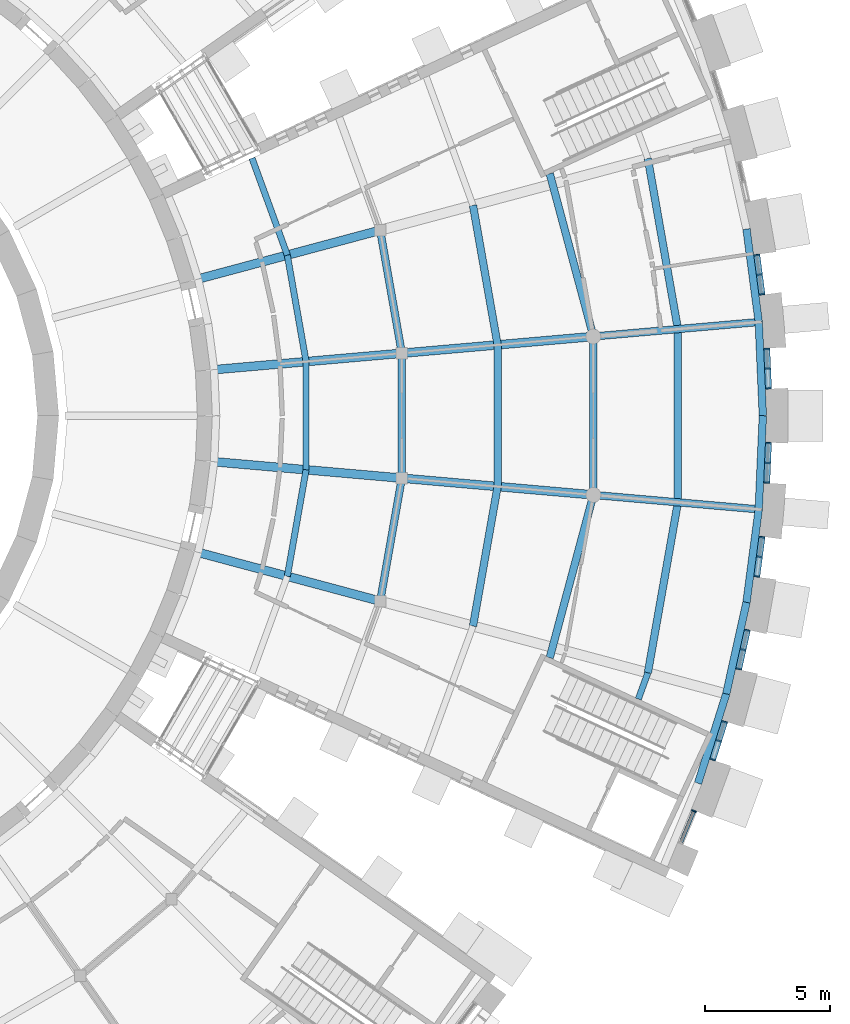
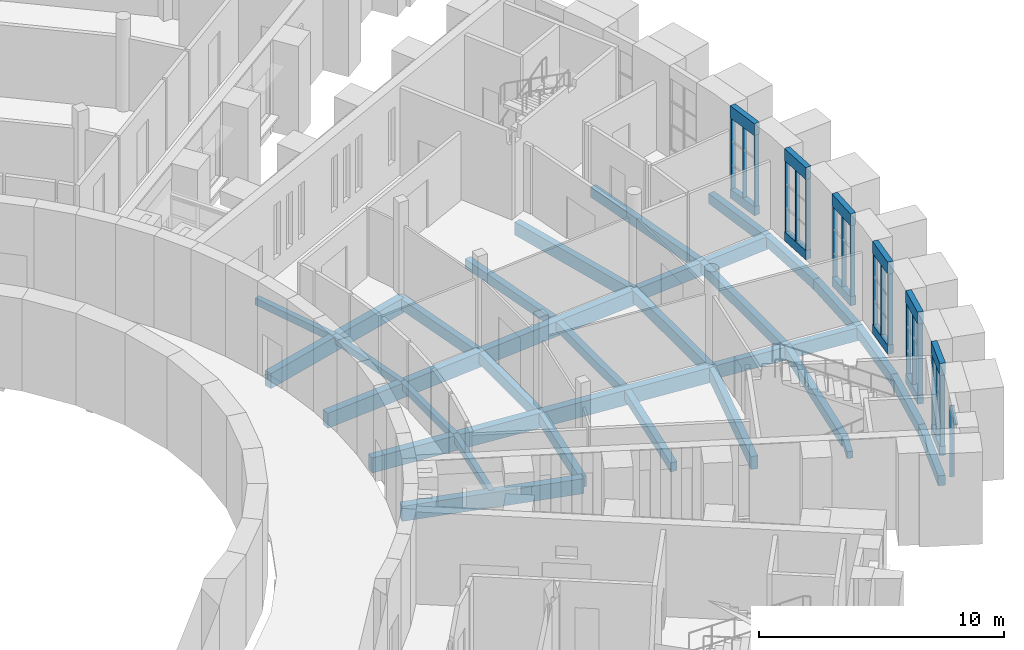
# One storey, part 16 of 66: 43 beams, 20 members, 7 elements without a shape of their own.
"""IFC4 building model written with IfcOpenShell, lengths in metres."""

from ifc_helpers import new_model, si_unit, direction, frame, origin, origin_2d, place, context, subcontext, project, spatial, rectangle, extrude, material, layer, layer_set, material_profile, profile_set, type_object, element, aggregate, save


model = new_model("IFC4")

# Units and contexts
model_context = context("Model", 3, precision=1e-05, world=origin(), true_north=direction((0.0, 1.0)))
body_context = subcontext(model_context, "Body", "Model", "MODEL_VIEW")
ifc_project = project(units=[si_unit("LENGTHUNIT", "METRE"), si_unit("AREAUNIT", "SQUARE_METRE"), si_unit("VOLUMEUNIT", "CUBIC_METRE"), si_unit("PLANEANGLEUNIT", "RADIAN"), si_unit("MASSUNIT", "GRAM", prefix="KILO")], contexts=[model_context])

# Site, building, storey
site_placement = place(None, origin())
site = spatial("IfcSite", under=ifc_project, at=site_placement, CompositionType="ELEMENT")
building_placement = place(site_placement, origin())
building = spatial("IfcBuilding", under=site, at=building_placement, Name="Volute Hill Aquarium", CompositionType="ELEMENT")
storey_placement = place(building_placement, frame((0.0, 0.0, 4.60009765625)))
storey = spatial("IfcBuildingStorey", under=building, at=storey_placement, Name="L02", CompositionType="ELEMENT", Elevation=4.60009765625)

# Beams
ifc_material_1 = material(Name="Concrete C35/45", Category="concrete")
ifc_material_profile_1 = material_profile(ifc_material_1, rectangle(XDim=0.300048828125, YDim=0.550048828125, at=origin_2d()), Name="RC beam 300x550")
ifc_profile_set_1 = profile_set([ifc_material_profile_1], Name="Concrete C35/45")
beam_type_1 = type_object("IfcBeamType", Name="Beam 300x550 C35/45", PredefinedType="BEAM", material=ifc_profile_set_1)
beam_1_placement = place(storey_placement, frame((27.72216796875, -7.427978515625, -0.51513671875), z_axis=(0.173643342996, 0.984808605483, 0.0), x_axis=(-0.984808605483, 0.173643342996, 0.0)))
element("IfcBeam", 1, at=beam_1_placement, inside=storey, type_object=beam_type_1, Name="bm/S4/L02/ring1.12", PredefinedType="BEAM", context=body_context, shape_type="SweptSolid", body=[
    extrude(rectangle(XDim=0.300048828125, YDim=0.550048828125, at=origin_2d()), origin(), (0.0, 0.0, 1.0), 5.00244140625),
])
beam_2_placement = place(storey_placement, frame((28.5908203125, -2.50146484375, -0.51513671875), z_axis=(0.0, 1.0, 0.0), x_axis=(-1.0, 0.0, 0.0)))
element("IfcBeam", 2, at=beam_2_placement, inside=storey, type_object=beam_type_1, Name="bm/S4/L02/ring1.13", PredefinedType="BEAM", context=body_context, shape_type="SweptSolid", body=[
    extrude(rectangle(XDim=0.300048828125, YDim=0.550048828125, at=origin_2d()), origin(), (0.0, 0.0, 1.0), 5.0029296875),
])
beam_3_placement = place(storey_placement, frame((28.5908203125, 2.50146484375, -0.51513671875), z_axis=(-0.173643342996, 0.984808605483, 0.0), x_axis=(-0.984808605483, -0.173643342996, 0.0)))
element("IfcBeam", 3, at=beam_3_placement, inside=storey, type_object=beam_type_1, Name="bm/S4/L02/ring1.14", PredefinedType="BEAM", context=body_context, shape_type="SweptSolid", body=[
    extrude(rectangle(XDim=0.300048828125, YDim=0.550048828125, at=origin_2d()), origin(), (0.0, 0.0, 1.0), 5.00244140625),
])
ifc_material_2 = material(Name="Concrete C35/45", Category="concrete")
ifc_material_profile_2 = material_profile(ifc_material_2, rectangle(XDim=0.300048828125, YDim=0.60009765625, at=origin_2d()), Name="RC beam 300x600")
ifc_profile_set_2 = profile_set([ifc_material_profile_2], Name="Concrete C35/45")
beam_type_2 = type_object("IfcBeamType", Name="Beam 300x600 C35/45", PredefinedType="BEAM", material=ifc_profile_set_2)
beam_4_placement = place(storey_placement, frame((36.261474609375, -3.172607421875, -0.5400390625), z_axis=(0.0, 1.0, 0.0), x_axis=(-1.0, 0.0, 0.0)))
element("IfcBeam", 4, at=beam_4_placement, inside=storey, type_object=beam_type_2, Name="bm/S4/L02/ring2.17", PredefinedType="BEAM", context=body_context, shape_type="SweptSolid", body=[
    extrude(rectangle(XDim=0.300048828125, YDim=0.60009765625, at=origin_2d()), origin(), (0.0, 0.0, 1.0), 6.34521484375),
])
ifc_material_3 = material(Name="Concrete C35/45", Category="concrete")
ifc_material_profile_3 = material_profile(ifc_material_3, rectangle(XDim=0.300048828125, YDim=0.64990234375, at=origin_2d()), Name="RC beam 300x650")
ifc_profile_set_3 = profile_set([ifc_material_profile_3], Name="Concrete C35/45")
beam_type_3 = type_object("IfcBeamType", Name="Beam 300x650 C35/45", PredefinedType="BEAM", material=ifc_profile_set_3)
for number, where, z_axis, x_axis, name in (
    (5, (36.261474609375, -3.172607421875, -0.565185546875), (0.996196405978, -0.087136219314, 0.0), (0.087136219314, 0.996196405978, 0.0), "bm/S4/L02/rad2.5"),
    (6, (36.261474609375, 3.172607421875, -0.565185546875), (0.996196405978, 0.087136219314, 0.0), (-0.087136219314, 0.996196405978, 0.0), "bm/S4/L02/rad3.8"),
):
    element("IfcBeam", number, at=place(storey_placement, frame(where, z_axis=z_axis, x_axis=x_axis)), inside=storey, type_object=beam_type_3, Name=name, PredefinedType="BEAM", context=body_context, shape_type="SweptSolid", body=[
        extrude(rectangle(XDim=0.300048828125, YDim=0.64990234375, at=origin_2d()), origin(), (0.0, 0.0, 1.0), 6.800048828125),
    ])
for number, where, z_axis, x_axis, name in (
    (7, (34.513916015625, -9.694580078125, -0.565185546875), (0.258819223005, 0.96592577862, 0.0), (-0.96592577862, 0.258819223005, 0.0), "bm/S4/L02/ring2.16"),
    (8, (36.261474609375, 3.172607421875, -0.565185546875), (-0.258819223005, 0.96592577862, 0.0), (-0.96592577862, -0.258819223005, 0.0), "bm/S4/L02/ring2.18"),
):
    element("IfcBeam", number, at=place(storey_placement, frame(where, z_axis=z_axis, x_axis=x_axis)), inside=storey, type_object=beam_type_3, Name=name, PredefinedType="BEAM", context=body_context, shape_type="SweptSolid", body=[
        extrude(rectangle(XDim=0.300048828125, YDim=0.64990234375, at=origin_2d()), origin(), (0.0, 0.0, 1.0), 6.751953125),
    ])
ifc_material_4 = material(Name="Concrete C35/45", Category="concrete")
ifc_material_profile_4 = material_profile(ifc_material_4, rectangle(XDim=0.35009765625, YDim=0.75, at=origin_2d()), Name="RC beam 350x750")
ifc_profile_set_4 = profile_set([ifc_material_profile_4], Name="Concrete C35/45")
beam_type_4 = type_object("IfcBeamType", Name="Beam 350x750 C35/45", PredefinedType="BEAM", material=ifc_profile_set_4)
for number, where, z_axis, x_axis, name in (
    (9, (20.284423828125, -5.435302734375, -0.614990234375), (0.965934324242, -0.258787328228, 0.0), (0.258787328228, 0.965934324242, 0.0), "bm/S4/L02/rad1.1"),
    (10, (20.920166015625, -1.830322265625, -0.614990234375), (0.996194164888, -0.087161837082, 0.0), (0.087161837082, 0.996194164888, 0.0), "bm/S4/L02/rad2.3"),
    (11, (28.5908203125, -2.50146484375, -0.614990234375), (0.996194164888, -0.087161837082, 0.0), (0.087161837082, 0.996194164888, 0.0), "bm/S4/L02/rad2.4"),
    (12, (20.920166015625, 1.830322265625, -0.614990234375), (0.996194164888, 0.087161837082, 0.0), (-0.087161837082, 0.996194164888, 0.0), "bm/S4/L02/rad3.6"),
    (13, (28.5908203125, 2.50146484375, -0.614990234375), (0.996194164888, 0.087161837082, 0.0), (-0.087161837082, 0.996194164888, 0.0), "bm/S4/L02/rad3.7"),
    (14, (20.284423828125, 5.435302734375, -0.614990234375), (0.965934324242, 0.258787328228, 0.0), (-0.258787328228, 0.965934324242, 0.0), "bm/S4/L02/rad4.9"),
):
    element("IfcBeam", number, at=place(storey_placement, frame(where, z_axis=z_axis, x_axis=x_axis)), inside=storey, type_object=beam_type_4, Name=name, PredefinedType="BEAM", context=body_context, shape_type="SweptSolid", body=[
        extrude(rectangle(XDim=0.35009765625, YDim=0.75, at=origin_2d()), origin(), (0.0, 0.0, 1.0), 7.699951171875),
    ])

# Curtain wall, member
ifc_material_5 = material(Name="Aluminium", Category="aluminium")
ifc_layer_1 = layer(ifc_material_5, 0.25)
ifc_layer_set_1 = layer_set([ifc_layer_1], Name="Curtain wall niche S4 module 1437")
curtain_wall_type_1 = type_object("IfcCurtainWallType", Name="Curtain wall niche S4 module 1437", PredefinedType="NOTDEFINED", material=ifc_layer_set_1)
curtain_wall_1_placement = place(storey_placement, origin())
curtain_wall_1 = element("IfcCurtainWall", 15, at=curtain_wall_1_placement, inside=storey, type_object=curtain_wall_type_1, Name="Curtain wall CW S4 L02 1", PredefinedType="NOTDEFINED")
ifc_material_6 = material(Name="Aluminium", Category="aluminium")
ifc_material_profile_5 = material_profile(ifc_material_6, rectangle(XDim=0.199951171875, YDim=0.06005859375, at=origin_2d()), Name="Curtain wall mullion S4 60x200")
ifc_profile_set_5 = profile_set([ifc_material_profile_5], Name="Aluminium")
member_type_1 = type_object("IfcMemberType", Name="Curtain wall mullion S4 60x200", PredefinedType="MULLION", material=ifc_profile_set_5)
member_1_placement = place(storey_placement, frame((40.29052734375, -15.835205078125, 0.449951171875), z_axis=(0.0, 0.0, 1.0), x_axis=(-0.923873852375, 0.38269714514, 0.0)))
member_1 = element("IfcMember", 16, at=member_1_placement, type_object=member_type_1, Name="CW mullion 2", PredefinedType="MULLION", context=body_context, shape_type="SweptSolid", body=[
    extrude(rectangle(XDim=0.199951171875, YDim=0.06005859375, at=origin_2d()), origin(), (0.0, 0.0, 1.0), 3.550048828125),
])

# Curtain wall, members
ifc_material_7 = material(Name="Aluminium", Category="aluminium")
ifc_layer_2 = layer(ifc_material_7, 0.25)
ifc_layer_set_2 = layer_set([ifc_layer_2], Name="Curtain wall niche S4 module 819")
curtain_wall_type_2 = type_object("IfcCurtainWallType", Name="Curtain wall niche S4 module 819", PredefinedType="NOTDEFINED", material=ifc_layer_set_2)
curtain_wall_2_placement = place(storey_placement, origin())
curtain_wall_2 = element("IfcCurtainWall", 17, at=curtain_wall_2_placement, inside=storey, type_object=curtain_wall_type_2, Name="Curtain wall CW S4 L02 2", PredefinedType="NOTDEFINED")
member_2_placement = place(storey_placement, frame((41.04296875, -13.767822265625, 0.449951171875), z_axis=(0.0, 0.0, 1.0), x_axis=(-0.953715759869, 0.300709576466, 0.0)))
member_2 = element("IfcMember", 18, at=member_2_placement, type_object=member_type_1, Name="CW mullion 1", PredefinedType="MULLION", context=body_context, shape_type="SweptSolid", body=[
    extrude(rectangle(XDim=0.199951171875, YDim=0.06005859375, at=origin_2d()), origin(), (0.0, 0.0, 1.0), 3.550048828125),
])
member_3_placement = place(storey_placement, frame((41.2802734375, -13.015625, 0.449951171875), z_axis=(0.0, 0.0, 1.0), x_axis=(-0.953715759869, 0.300709576466, 0.0)))
member_3 = element("IfcMember", 19, at=member_3_placement, type_object=member_type_1, Name="CW mullion 2", PredefinedType="MULLION", context=body_context, shape_type="SweptSolid", body=[
    extrude(rectangle(XDim=0.199951171875, YDim=0.06005859375, at=origin_2d()), origin(), (0.0, 0.0, 1.0), 3.550048828125),
])
member_4_placement = place(storey_placement, frame((41.517333984375, -12.263427734375, 0.449951171875), z_axis=(0.0, 0.0, 1.0), x_axis=(-0.953715759869, 0.300709576466, 0.0)))
member_4 = element("IfcMember", 20, at=member_4_placement, type_object=member_type_1, Name="CW mullion 3", PredefinedType="MULLION", context=body_context, shape_type="SweptSolid", body=[
    extrude(rectangle(XDim=0.199951171875, YDim=0.06005859375, at=origin_2d()), origin(), (0.0, 0.0, 1.0), 3.550048828125),
])
aggregate(curtain_wall_2, [member_2, member_3, member_4])

curtain_wall_3_placement = place(storey_placement, origin())
curtain_wall_3 = element("IfcCurtainWall", 21, at=curtain_wall_3_placement, inside=storey, type_object=curtain_wall_type_2, Name="Curtain wall CW S4 L02 3", PredefinedType="NOTDEFINED")
member_5_placement = place(storey_placement, frame((42.0869140625, -10.138427734375, 0.449951171875), z_axis=(0.0, 0.0, 1.0), x_axis=(-0.976297724054, 0.216431869204, 0.0)))
member_5 = element("IfcMember", 22, at=member_5_placement, type_object=member_type_1, Name="CW mullion 1", PredefinedType="MULLION", context=body_context, shape_type="SweptSolid", body=[
    extrude(rectangle(XDim=0.199951171875, YDim=0.06005859375, at=origin_2d()), origin(), (0.0, 0.0, 1.0), 3.550048828125),
])
member_6_placement = place(storey_placement, frame((42.257568359375, -9.368408203125, 0.449951171875), z_axis=(0.0, 0.0, 1.0), x_axis=(-0.976297724054, 0.216431869204, 0.0)))
member_6 = element("IfcMember", 23, at=member_6_placement, type_object=member_type_1, Name="CW mullion 2", PredefinedType="MULLION", context=body_context, shape_type="SweptSolid", body=[
    extrude(rectangle(XDim=0.199951171875, YDim=0.06005859375, at=origin_2d()), origin(), (0.0, 0.0, 1.0), 3.550048828125),
])
member_7_placement = place(storey_placement, frame((42.42822265625, -8.598388671875, 0.449951171875), z_axis=(0.0, 0.0, 1.0), x_axis=(-0.976297724054, 0.216431869204, 0.0)))
member_7 = element("IfcMember", 24, at=member_7_placement, type_object=member_type_1, Name="CW mullion 3", PredefinedType="MULLION", context=body_context, shape_type="SweptSolid", body=[
    extrude(rectangle(XDim=0.199951171875, YDim=0.06005859375, at=origin_2d()), origin(), (0.0, 0.0, 1.0), 3.550048828125),
])
aggregate(curtain_wall_3, [member_5, member_6, member_7])

curtain_wall_4_placement = place(storey_placement, origin())
curtain_wall_4 = element("IfcCurtainWall", 25, at=curtain_wall_4_placement, inside=storey, type_object=curtain_wall_type_2, Name="Curtain wall CW S4 L02 4", PredefinedType="NOTDEFINED")
member_8_placement = place(storey_placement, frame((42.810302734375, -6.431640625, 0.449951171875), z_axis=(0.0, 0.0, 1.0), x_axis=(-0.991446228392, 0.130515808269, 0.0)))
member_8 = element("IfcMember", 26, at=member_8_placement, type_object=member_type_1, Name="CW mullion 1", PredefinedType="MULLION", context=body_context, shape_type="SweptSolid", body=[
    extrude(rectangle(XDim=0.199951171875, YDim=0.06005859375, at=origin_2d()), origin(), (0.0, 0.0, 1.0), 3.550048828125),
])
member_9_placement = place(storey_placement, frame((42.9130859375, -5.649658203125, 0.449951171875), z_axis=(0.0, 0.0, 1.0), x_axis=(-0.991446228392, 0.130515808269, 0.0)))
member_9 = element("IfcMember", 27, at=member_9_placement, type_object=member_type_1, Name="CW mullion 2", PredefinedType="MULLION", context=body_context, shape_type="SweptSolid", body=[
    extrude(rectangle(XDim=0.199951171875, YDim=0.06005859375, at=origin_2d()), origin(), (0.0, 0.0, 1.0), 3.550048828125),
])
member_10_placement = place(storey_placement, frame((43.01611328125, -4.86767578125, 0.449951171875), z_axis=(0.0, 0.0, 1.0), x_axis=(-0.991446228392, 0.130515808269, 0.0)))
member_10 = element("IfcMember", 28, at=member_10_placement, type_object=member_type_1, Name="CW mullion 3", PredefinedType="MULLION", context=body_context, shape_type="SweptSolid", body=[
    extrude(rectangle(XDim=0.199951171875, YDim=0.06005859375, at=origin_2d()), origin(), (0.0, 0.0, 1.0), 3.550048828125),
])
aggregate(curtain_wall_4, [member_8, member_9, member_10])

curtain_wall_5_placement = place(storey_placement, origin())
curtain_wall_5 = element("IfcCurtainWall", 29, at=curtain_wall_5_placement, inside=storey, type_object=curtain_wall_type_2, Name="Curtain wall CW S4 L02 5", PredefinedType="NOTDEFINED")
member_11_placement = place(storey_placement, frame((43.207763671875, -2.67578125, 0.449951171875), z_axis=(0.0, 0.0, 1.0), x_axis=(-0.999048341335, 0.043616644488, 0.0)))
member_11 = element("IfcMember", 30, at=member_11_placement, type_object=member_type_1, Name="CW mullion 1", PredefinedType="MULLION", context=body_context, shape_type="SweptSolid", body=[
    extrude(rectangle(XDim=0.199951171875, YDim=0.06005859375, at=origin_2d()), origin(), (0.0, 0.0, 1.0), 3.550048828125),
])
member_12_placement = place(storey_placement, frame((43.2421875, -1.887939453125, 0.449951171875), z_axis=(0.0, 0.0, 1.0), x_axis=(-0.999048341335, 0.043616644488, 0.0)))
member_12 = element("IfcMember", 31, at=member_12_placement, type_object=member_type_1, Name="CW mullion 2", PredefinedType="MULLION", context=body_context, shape_type="SweptSolid", body=[
    extrude(rectangle(XDim=0.199951171875, YDim=0.06005859375, at=origin_2d()), origin(), (0.0, 0.0, 1.0), 3.550048828125),
])
member_13_placement = place(storey_placement, frame((43.276611328125, -1.099853515625, 0.449951171875), z_axis=(0.0, 0.0, 1.0), x_axis=(-0.999048341335, 0.043616644488, 0.0)))
member_13 = element("IfcMember", 32, at=member_13_placement, type_object=member_type_1, Name="CW mullion 3", PredefinedType="MULLION", context=body_context, shape_type="SweptSolid", body=[
    extrude(rectangle(XDim=0.199951171875, YDim=0.06005859375, at=origin_2d()), origin(), (0.0, 0.0, 1.0), 3.550048828125),
])
aggregate(curtain_wall_5, [member_11, member_12, member_13])

curtain_wall_6_placement = place(storey_placement, origin())
curtain_wall_6 = element("IfcCurtainWall", 33, at=curtain_wall_6_placement, inside=storey, type_object=curtain_wall_type_2, Name="Curtain wall CW S4 L02 6", PredefinedType="NOTDEFINED")
member_14_placement = place(storey_placement, frame((43.276611328125, 1.10009765625, 0.449951171875), z_axis=(0.0, 0.0, 1.0), x_axis=(-0.999048075201, -0.043622739916, 0.0)))
member_14 = element("IfcMember", 34, at=member_14_placement, type_object=member_type_1, Name="CW mullion 1", PredefinedType="MULLION", context=body_context, shape_type="SweptSolid", body=[
    extrude(rectangle(XDim=0.199951171875, YDim=0.06005859375, at=origin_2d()), origin(), (0.0, 0.0, 1.0), 3.550048828125),
])
member_15_placement = place(storey_placement, frame((43.2421875, 1.887939453125, 0.449951171875), z_axis=(0.0, 0.0, 1.0), x_axis=(-0.999048075201, -0.043622739916, 0.0)))
member_15 = element("IfcMember", 35, at=member_15_placement, type_object=member_type_1, Name="CW mullion 2", PredefinedType="MULLION", context=body_context, shape_type="SweptSolid", body=[
    extrude(rectangle(XDim=0.199951171875, YDim=0.06005859375, at=origin_2d()), origin(), (0.0, 0.0, 1.0), 3.550048828125),
])
member_16_placement = place(storey_placement, frame((43.207763671875, 2.676025390625, 0.449951171875), z_axis=(0.0, 0.0, 1.0), x_axis=(-0.999048075201, -0.043622739916, 0.0)))
member_16 = element("IfcMember", 36, at=member_16_placement, type_object=member_type_1, Name="CW mullion 3", PredefinedType="MULLION", context=body_context, shape_type="SweptSolid", body=[
    extrude(rectangle(XDim=0.199951171875, YDim=0.06005859375, at=origin_2d()), origin(), (0.0, 0.0, 1.0), 3.550048828125),
])
aggregate(curtain_wall_6, [member_14, member_15, member_16])

curtain_wall_7_placement = place(storey_placement, origin())
curtain_wall_7 = element("IfcCurtainWall", 37, at=curtain_wall_7_placement, inside=storey, type_object=curtain_wall_type_2, Name="Curtain wall CW S4 L02 7", PredefinedType="NOTDEFINED")
member_17_placement = place(storey_placement, frame((43.01611328125, 4.86767578125, 0.449951171875), z_axis=(0.0, 0.0, 1.0), x_axis=(-0.991446228392, -0.130515808269, 0.0)))
member_17 = element("IfcMember", 38, at=member_17_placement, type_object=member_type_1, Name="CW mullion 1", PredefinedType="MULLION", context=body_context, shape_type="SweptSolid", body=[
    extrude(rectangle(XDim=0.199951171875, YDim=0.06005859375, at=origin_2d()), origin(), (0.0, 0.0, 1.0), 3.550048828125),
])
member_18_placement = place(storey_placement, frame((42.9130859375, 5.649658203125, 0.449951171875), z_axis=(0.0, 0.0, 1.0), x_axis=(-0.991446228392, -0.130515808269, 0.0)))
member_18 = element("IfcMember", 39, at=member_18_placement, type_object=member_type_1, Name="CW mullion 2", PredefinedType="MULLION", context=body_context, shape_type="SweptSolid", body=[
    extrude(rectangle(XDim=0.199951171875, YDim=0.06005859375, at=origin_2d()), origin(), (0.0, 0.0, 1.0), 3.550048828125),
])
member_19_placement = place(storey_placement, frame((42.810302734375, 6.431640625, 0.449951171875), z_axis=(0.0, 0.0, 1.0), x_axis=(-0.991446228392, -0.130515808269, 0.0)))
member_19 = element("IfcMember", 40, at=member_19_placement, type_object=member_type_1, Name="CW mullion 3", PredefinedType="MULLION", context=body_context, shape_type="SweptSolid", body=[
    extrude(rectangle(XDim=0.199951171875, YDim=0.06005859375, at=origin_2d()), origin(), (0.0, 0.0, 1.0), 3.550048828125),
])
aggregate(curtain_wall_7, [member_17, member_18, member_19])

# Member
ifc_material_8 = material(Name="Aluminium", Category="aluminium")
ifc_material_profile_6 = material_profile(ifc_material_8, rectangle(XDim=0.14990234375, YDim=0.06005859375, at=origin_2d()), Name="Curtain wall transom S4 60x150")
ifc_profile_set_6 = profile_set([ifc_material_profile_6], Name="Aluminium")
member_type_2 = type_object("IfcMemberType", Name="Curtain wall transom S4 60x150", PredefinedType="USERDEFINED", material=ifc_profile_set_6)
member_20_placement = place(storey_placement, frame((39.77490234375, -17.079833984375, 3.969970703125), z_axis=(0.3827064316, 0.923870005581, 0.0), x_axis=(-0.923870005581, 0.3827064316, 0.0)))
member_20 = element("IfcMember", 41, at=member_20_placement, type_object=member_type_2, Name="CW transom 1.4", ObjectType="TRANSOM", PredefinedType="USERDEFINED", context=body_context, shape_type="SweptSolid", body=[
    extrude(rectangle(XDim=0.14990234375, YDim=0.06005859375, at=origin_2d()), origin(), (0.0, 0.0, 1.0), 1.3173828125),
])

aggregate(curtain_wall_1, [member_1, member_20])

# Beams
ifc_material_9 = material(Name="Concrete C35/45", Category="concrete")
ifc_material_profile_7 = material_profile(ifc_material_9, rectangle(XDim=0.300048828125, YDim=0.5, at=origin_2d()), Name="RC edge beam 300x500")
ifc_profile_set_7 = profile_set([ifc_material_profile_7], Name="Concrete C35/45")
beam_type_5 = type_object("IfcBeamType", Name="Edge beam 300x500 C35/45", PredefinedType="BEAM", material=ifc_profile_set_7)
for number, where, z_axis, x_axis, name in (
    (42, (40.45361328125, -14.723876953125, -0.489990234375), (0.300720668407, 0.953712262474, 0.0), (-0.953712262474, 0.300720668407, 0.0), "bm/S4/L02/edgeO.30"),
    (43, (41.5830078125, -11.14208984375, -0.489990234375), (0.216414181403, 0.97630164503, 0.0), (-0.97630164503, 0.216414181403, 0.0), "bm/S4/L02/edgeO.31"),
):
    element("IfcBeam", number, at=place(storey_placement, frame(where, z_axis=z_axis, x_axis=x_axis)), inside=storey, type_object=beam_type_5, Name=name, PredefinedType="BEAM", context=body_context, shape_type="SweptSolid", body=[
        extrude(rectangle(XDim=0.300048828125, YDim=0.5, at=origin_2d()), origin(), (0.0, 0.0, 1.0), 3.755615234375),
    ])
beam_5_placement = place(storey_placement, frame((42.395751953125, -7.4755859375, -0.489990234375), z_axis=(0.130528499327, 0.991444557635, 0.0), x_axis=(-0.991444557635, 0.130528499327, 0.0)))
element("IfcBeam", 44, at=beam_5_placement, inside=storey, type_object=beam_type_5, Name="bm/S4/L02/edgeO.32", PredefinedType="BEAM", context=body_context, shape_type="SweptSolid", body=[
    extrude(rectangle(XDim=0.300048828125, YDim=0.5, at=origin_2d()), origin(), (0.0, 0.0, 1.0), 3.755859375),
])
for number, where, z_axis, x_axis, name in (
    (45, (42.885986328125, -3.751953125, -0.489990234375), (0.043620596126, 0.999048168805, 0.0), (-0.999048168805, 0.043620596126, 0.0), "bm/S4/L02/edgeO.33"),
    (46, (43.0498046875, 0.0, -0.489990234375), (-0.043620596126, 0.999048168805, 0.0), (-0.999048168805, -0.043620596126, 0.0), "bm/S4/L02/edgeO.34"),
):
    element("IfcBeam", number, at=place(storey_placement, frame(where, z_axis=z_axis, x_axis=x_axis)), inside=storey, type_object=beam_type_5, Name=name, PredefinedType="BEAM", context=body_context, shape_type="SweptSolid", body=[
        extrude(rectangle(XDim=0.300048828125, YDim=0.5, at=origin_2d()), origin(), (0.0, 0.0, 1.0), 3.755615234375),
    ])
beam_6_placement = place(storey_placement, frame((42.885986328125, 3.751953125, -0.489990234375), z_axis=(-0.130528499327, 0.991444557635, 0.0), x_axis=(-0.991444557635, -0.130528499327, 0.0)))
element("IfcBeam", 47, at=beam_6_placement, inside=storey, type_object=beam_type_5, Name="bm/S4/L02/edgeO.35", PredefinedType="BEAM", context=body_context, shape_type="SweptSolid", body=[
    extrude(rectangle(XDim=0.300048828125, YDim=0.5, at=origin_2d()), origin(), (0.0, 0.0, 1.0), 3.755859375),
])
ifc_material_10 = material(Name="Concrete C35/45", Category="concrete")
ifc_material_profile_8 = material_profile(ifc_material_10, rectangle(XDim=0.25, YDim=0.35009765625, at=origin_2d()), Name="RC joist 250x350")
ifc_profile_set_8 = profile_set([ifc_material_profile_8], Name="Concrete C35/45")
beam_type_6 = type_object("IfcBeamType", Name="Joist 250x350 C35/45", PredefinedType="BEAM", material=ifc_profile_set_8)
for number, where, z_axis, x_axis, name in (
    (48, (24.00341796875, -6.431640625, -0.4150390625), (0.173595628323, 0.984817017434, 0.0), (-0.984817017434, 0.173595628323, 0.0), "bm/S4/L02/jst2"),
    (49, (24.75537109375, -2.165771484375, -0.4150390625), (0.0, 1.0, 0.0), (-1.0, 0.0, 0.0), "bm/S4/L02/jst3"),
    (50, (24.75537109375, 2.165771484375, -0.4150390625), (-0.173595628323, 0.984817017434, 0.0), (-0.984817017434, -0.173595628323, 0.0), "bm/S4/L02/jst4"),
):
    element("IfcBeam", number, at=place(storey_placement, frame(where, z_axis=z_axis, x_axis=x_axis)), inside=storey, type_object=beam_type_6, Name=name, PredefinedType="BEAM", context=body_context, shape_type="SweptSolid", body=[
        extrude(rectangle(XDim=0.25, YDim=0.35009765625, at=origin_2d()), origin(), (0.0, 0.0, 1.0), 4.33154296875),
    ])
beam_7_placement = place(storey_placement, frame((24.00341796875, 6.431640625, -0.4150390625), z_axis=(-0.34206571552, 0.939676032612, 0.0), x_axis=(-0.939676032612, -0.34206571552, 0.0)))
element("IfcBeam", 51, at=beam_7_placement, inside=storey, type_object=beam_type_6, Name="bm/S4/L02/jst5", PredefinedType="BEAM", context=body_context, shape_type="SweptSolid", body=[
    extrude(rectangle(XDim=0.25, YDim=0.35009765625, at=origin_2d()), origin(), (0.0, 0.0, 1.0), 4.131103515625),
])
beam_8_placement = place(storey_placement, frame((38.062255859375, -11.34912109375, -0.4150390625), z_axis=(0.342112100043, 0.939659146182, 0.0), x_axis=(-0.939659146182, 0.342112100043, 0.0)))
element("IfcBeam", 52, at=beam_8_placement, inside=storey, type_object=beam_type_6, Name="bm/S4/L02/jst11", PredefinedType="BEAM", context=body_context, shape_type="SweptSolid", body=[
    extrude(rectangle(XDim=0.25, YDim=0.35009765625, at=origin_2d()), origin(), (0.0, 0.0, 1.0), 1.115478515625),
])
ifc_material_11 = material(Name="Concrete C35/45", Category="concrete")
ifc_material_profile_9 = material_profile(ifc_material_11, rectangle(XDim=0.300048828125, YDim=0.449951171875, at=origin_2d()), Name="RC joist 300x450")
ifc_profile_set_9 = profile_set([ifc_material_profile_9], Name="Concrete C35/45")
beam_type_7 = type_object("IfcBeamType", Name="Joist 300x450 C35/45", PredefinedType="BEAM", material=ifc_profile_set_9)
for number, where, z_axis, x_axis, name in (
    (53, (31.44091796875, -8.424560546875, -0.465087890625), (0.173623321821, 0.984812135445, 0.0), (-0.984812135445, 0.173623321821, 0.0), "bm/S4/L02/jst7"),
    (54, (32.426025390625, -2.8369140625, -0.465087890625), (0.0, 1.0, 0.0), (-1.0, 0.0, 0.0), "bm/S4/L02/jst8"),
    (55, (32.426025390625, 2.8369140625, -0.465087890625), (-0.173623321821, 0.984812135445, 0.0), (-0.984812135445, -0.173623321821, 0.0), "bm/S4/L02/jst9"),
):
    element("IfcBeam", number, at=place(storey_placement, frame(where, z_axis=z_axis, x_axis=x_axis)), inside=storey, type_object=beam_type_7, Name=name, PredefinedType="BEAM", context=body_context, shape_type="SweptSolid", body=[
        extrude(rectangle(XDim=0.300048828125, YDim=0.449951171875, at=origin_2d()), origin(), (0.0, 0.0, 1.0), 5.673828125),
    ])
ifc_material_12 = material(Name="Concrete C35/45", Category="concrete")
ifc_material_profile_10 = material_profile(ifc_material_12, rectangle(XDim=0.300048828125, YDim=0.5, at=origin_2d()), Name="RC joist 300x500")
ifc_profile_set_10 = profile_set([ifc_material_profile_10], Name="Concrete C35/45")
beam_type_8 = type_object("IfcBeamType", Name="Joist 300x500 C35/45", PredefinedType="BEAM", material=ifc_profile_set_10)
beam_9_placement = place(storey_placement, frame((38.44384765625, -10.301025390625, -0.489990234375), z_axis=(0.173630752629, 0.984810825358, 0.0), x_axis=(-0.984810825358, 0.173630752629, 0.0)))
element("IfcBeam", 56, at=beam_9_placement, inside=storey, type_object=beam_type_8, Name="bm/S4/L02/jst12", PredefinedType="BEAM", context=body_context, shape_type="SweptSolid", body=[
    extrude(rectangle(XDim=0.300048828125, YDim=0.5, at=origin_2d()), origin(), (0.0, 0.0, 1.0), 6.937744140625),
])
beam_10_placement = place(storey_placement, frame((39.6484375, -3.46875, -0.489990234375), z_axis=(0.0, 1.0, 0.0), x_axis=(-1.0, 0.0, 0.0)))
element("IfcBeam", 57, at=beam_10_placement, inside=storey, type_object=beam_type_8, Name="bm/S4/L02/jst13", PredefinedType="BEAM", context=body_context, shape_type="SweptSolid", body=[
    extrude(rectangle(XDim=0.300048828125, YDim=0.5, at=origin_2d()), origin(), (0.0, 0.0, 1.0), 6.9375),
])
beam_11_placement = place(storey_placement, frame((39.6484375, 3.46875, -0.489990234375), z_axis=(-0.173630752629, 0.984810825358, 0.0), x_axis=(-0.984810825358, -0.173630752629, 0.0)))
element("IfcBeam", 58, at=beam_11_placement, inside=storey, type_object=beam_type_8, Name="bm/S4/L02/jst14", PredefinedType="BEAM", context=body_context, shape_type="SweptSolid", body=[
    extrude(rectangle(XDim=0.300048828125, YDim=0.5, at=origin_2d()), origin(), (0.0, 0.0, 1.0), 6.937744140625),
])
ifc_material_13 = material(Name="Concrete C35/45", Category="concrete")
ifc_material_profile_11 = material_profile(ifc_material_13, rectangle(XDim=0.25, YDim=0.60009765625, at=origin_2d()), Name="RC beam 250x600")
ifc_profile_set_11 = profile_set([ifc_material_profile_11], Name="Concrete C35/45")
beam_type_9 = type_object("IfcBeamType", Name="Niche head beam RC 250x600 C35/45", PredefinedType="BEAM", material=ifc_profile_set_11)
beam_12_placement = place(storey_placement, frame((41.033935546875, -13.79638671875, 4.2998046875), z_axis=(0.300753125362, 0.953702027672, 0.0), x_axis=(-0.953702027672, 0.300753125362, 0.0)))
element("IfcBeam", 59, at=beam_12_placement, inside=storey, type_object=beam_type_9, Name="Niche head beam OWB S4 L02 2", PredefinedType="BEAM", context=body_context, shape_type="SweptSolid", body=[
    extrude(rectangle(XDim=0.25, YDim=0.60009765625, at=origin_2d()), origin(), (0.0, 0.0, 1.0), 1.63720703125),
])
beam_13_placement = place(storey_placement, frame((42.080322265625, -10.167724609375, 4.2998046875), z_axis=(0.216346291888, 0.976316691441, 0.0), x_axis=(-0.976316691441, 0.216346291888, 0.0)))
element("IfcBeam", 60, at=beam_13_placement, inside=storey, type_object=beam_type_9, Name="Niche head beam OWB S4 L02 3", PredefinedType="BEAM", context=body_context, shape_type="SweptSolid", body=[
    extrude(rectangle(XDim=0.25, YDim=0.60009765625, at=origin_2d()), origin(), (0.0, 0.0, 1.0), 1.637451171875),
])
for number, where, z_axis, x_axis, name in (
    (61, (42.806396484375, -6.461181640625, 4.2998046875), (0.130473798764, 0.991451757695, 0.0), (-0.991451757695, 0.130473798764, 0.0), "Niche head beam OWB S4 L02 4"),
    (62, (43.20654296875, -2.705810546875, 4.2998046875), (0.043689586592, 0.999045154146, 0.0), (-0.999045154146, 0.043689586592, 0.0), "Niche head beam OWB S4 L02 5"),
):
    element("IfcBeam", number, at=place(storey_placement, frame(where, z_axis=z_axis, x_axis=x_axis)), inside=storey, type_object=beam_type_9, Name=name, PredefinedType="BEAM", context=body_context, shape_type="SweptSolid", body=[
        extrude(rectangle(XDim=0.25, YDim=0.60009765625, at=origin_2d()), origin(), (0.0, 0.0, 1.0), 1.63720703125),
    ])
beam_14_placement = place(storey_placement, frame((43.278076171875, 1.070068359375, 4.2998046875), z_axis=(-0.043683079173, 0.999045438703, 0.0), x_axis=(-0.999045438703, -0.043683079173, 0.0)))
element("IfcBeam", 63, at=beam_14_placement, inside=storey, type_object=beam_type_9, Name="Niche head beam OWB S4 L02 6", PredefinedType="BEAM", context=body_context, shape_type="SweptSolid", body=[
    extrude(rectangle(XDim=0.25, YDim=0.60009765625, at=origin_2d()), origin(), (0.0, 0.0, 1.0), 1.637451171875),
])
beam_15_placement = place(storey_placement, frame((43.02001953125, 4.837890625, 4.2998046875), z_axis=(-0.130473798764, 0.991451757695, 0.0), x_axis=(-0.991451757695, -0.130473798764, 0.0)))
element("IfcBeam", 64, at=beam_15_placement, inside=storey, type_object=beam_type_9, Name="Niche head beam OWB S4 L02 7", PredefinedType="BEAM", context=body_context, shape_type="SweptSolid", body=[
    extrude(rectangle(XDim=0.25, YDim=0.60009765625, at=origin_2d()), origin(), (0.0, 0.0, 1.0), 1.63720703125),
])
ifc_material_14 = material(Name="Concrete C35/45", Category="concrete")
ifc_material_profile_12 = material_profile(ifc_material_14, rectangle(XDim=0.25, YDim=0.449951171875, at=origin_2d()), Name="RC beam 250x450")
ifc_profile_set_12 = profile_set([ifc_material_profile_12], Name="Concrete C35/45")
beam_type_10 = type_object("IfcBeamType", Name="Niche sill beam RC 250x450 C35/45", PredefinedType="BEAM", material=ifc_profile_set_12)
beam_16_placement = place(storey_placement, frame((41.033935546875, -13.79638671875, 0.224853515625), z_axis=(0.300753125362, 0.953702027672, 0.0), x_axis=(-0.953702027672, 0.300753125362, 0.0)))
element("IfcBeam", 65, at=beam_16_placement, inside=storey, type_object=beam_type_10, Name="Niche sill beam OWB S4 L02 2", PredefinedType="BEAM", context=body_context, shape_type="SweptSolid", body=[
    extrude(rectangle(XDim=0.25, YDim=0.449951171875, at=origin_2d()), origin(), (0.0, 0.0, 1.0), 1.63720703125),
])
beam_17_placement = place(storey_placement, frame((42.080322265625, -10.167724609375, 0.224853515625), z_axis=(0.216346291888, 0.976316691441, 0.0), x_axis=(-0.976316691441, 0.216346291888, 0.0)))
element("IfcBeam", 66, at=beam_17_placement, inside=storey, type_object=beam_type_10, Name="Niche sill beam OWB S4 L02 3", PredefinedType="BEAM", context=body_context, shape_type="SweptSolid", body=[
    extrude(rectangle(XDim=0.25, YDim=0.449951171875, at=origin_2d()), origin(), (0.0, 0.0, 1.0), 1.637451171875),
])
for number, where, z_axis, x_axis, name in (
    (67, (42.806396484375, -6.461181640625, 0.224853515625), (0.130473798764, 0.991451757695, 0.0), (-0.991451757695, 0.130473798764, 0.0), "Niche sill beam OWB S4 L02 4"),
    (68, (43.20654296875, -2.705810546875, 0.224853515625), (0.043689586592, 0.999045154146, 0.0), (-0.999045154146, 0.043689586592, 0.0), "Niche sill beam OWB S4 L02 5"),
):
    element("IfcBeam", number, at=place(storey_placement, frame(where, z_axis=z_axis, x_axis=x_axis)), inside=storey, type_object=beam_type_10, Name=name, PredefinedType="BEAM", context=body_context, shape_type="SweptSolid", body=[
        extrude(rectangle(XDim=0.25, YDim=0.449951171875, at=origin_2d()), origin(), (0.0, 0.0, 1.0), 1.63720703125),
    ])
beam_18_placement = place(storey_placement, frame((43.278076171875, 1.070068359375, 0.224853515625), z_axis=(-0.043683079173, 0.999045438703, 0.0), x_axis=(-0.999045438703, -0.043683079173, 0.0)))
element("IfcBeam", 69, at=beam_18_placement, inside=storey, type_object=beam_type_10, Name="Niche sill beam OWB S4 L02 6", PredefinedType="BEAM", context=body_context, shape_type="SweptSolid", body=[
    extrude(rectangle(XDim=0.25, YDim=0.449951171875, at=origin_2d()), origin(), (0.0, 0.0, 1.0), 1.637451171875),
])
beam_19_placement = place(storey_placement, frame((43.02001953125, 4.837890625, 0.224853515625), z_axis=(-0.130473798764, 0.991451757695, 0.0), x_axis=(-0.991451757695, -0.130473798764, 0.0)))
element("IfcBeam", 70, at=beam_19_placement, inside=storey, type_object=beam_type_10, Name="Niche sill beam OWB S4 L02 7", PredefinedType="BEAM", context=body_context, shape_type="SweptSolid", body=[
    extrude(rectangle(XDim=0.25, YDim=0.449951171875, at=origin_2d()), origin(), (0.0, 0.0, 1.0), 1.63720703125),
])

save(model, "model.ifc")
